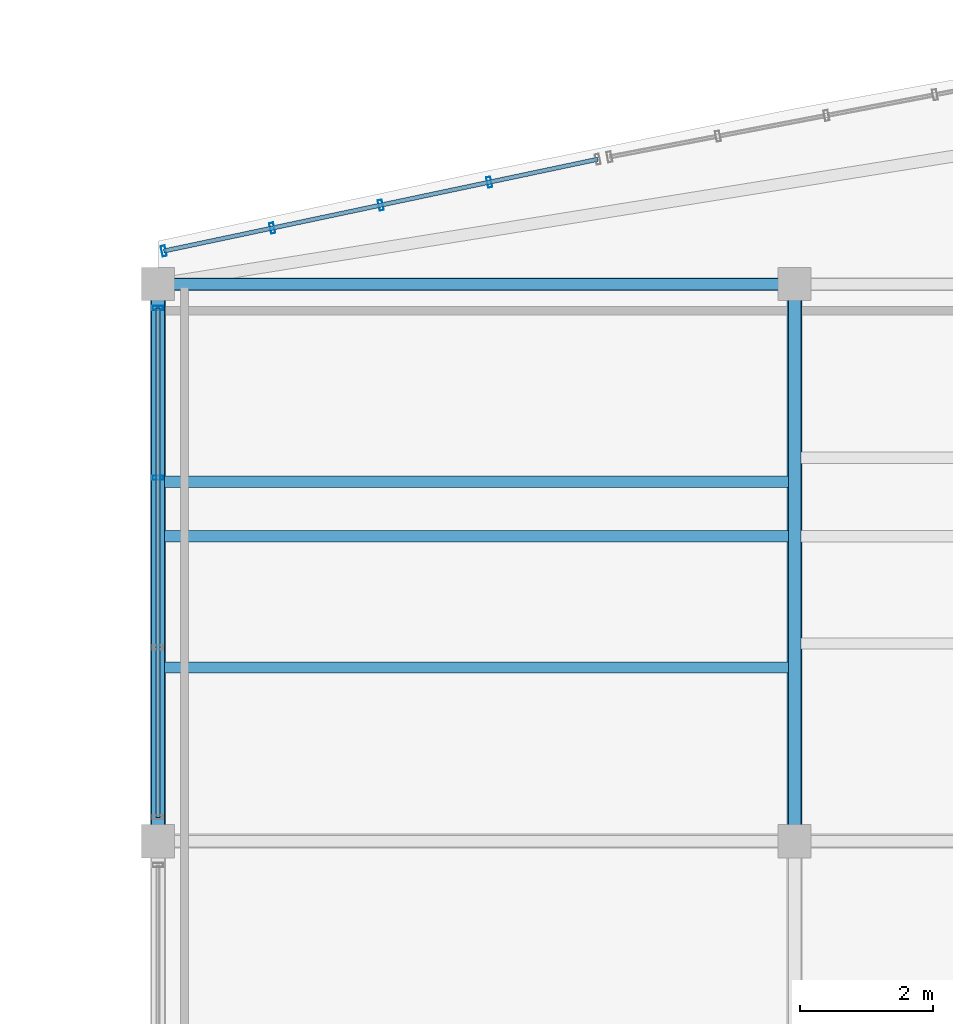
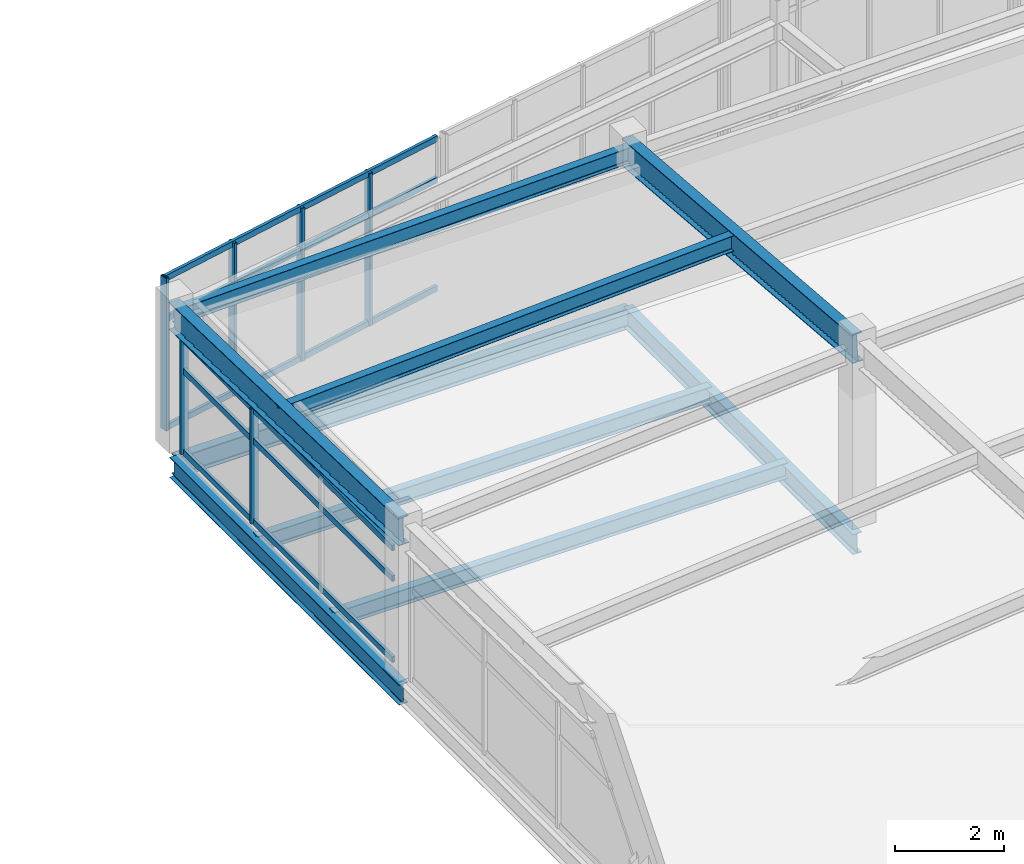
# One storey, part 37 of 65: 14 members, 7 beams, 2 elements without a shape of their own.
"""IFC4 building model written with IfcOpenShell, lengths in metres."""

from ifc_helpers import new_model, si_unit, direction, frame, origin, origin_2d, place, context, subcontext, project, spatial, hollow_rectangle, i_section, extrude, material, layer, layer_set, material_profile, profile_set, type_object, element, aggregate, save


model = new_model("IFC4")

# Units and contexts
model_context = context("Model", 3, precision=1e-05, world=origin(), true_north=direction((0.0, 1.0)))
body_context = subcontext(model_context, "Body", "Model", "MODEL_VIEW")
ifc_project = project(units=[si_unit("LENGTHUNIT", "METRE"), si_unit("AREAUNIT", "SQUARE_METRE"), si_unit("VOLUMEUNIT", "CUBIC_METRE"), si_unit("PLANEANGLEUNIT", "RADIAN"), si_unit("MASSUNIT", "GRAM", prefix="KILO")], contexts=[model_context])

# Site, building, storey
site_placement = place(None, origin())
site = spatial("IfcSite", under=ifc_project, at=site_placement, CompositionType="ELEMENT")
building_placement = place(site_placement, origin())
building = spatial("IfcBuilding", under=site, at=building_placement, Name="Chalmorin Arch Market", CompositionType="ELEMENT")
storey_placement = place(building_placement, frame((0.0, 0.0, 14.10009765625)))
storey = spatial("IfcBuildingStorey", under=building, at=storey_placement, Name="L03", CompositionType="ELEMENT", Elevation=14.10009765625)

# Curtain wall, members
ifc_material_1 = material(Name="Aluminium 6063-T6", Category="aluminium")
ifc_layer_1 = layer(ifc_material_1, 0.159912109375)
ifc_layer_set_1 = layer_set([ifc_layer_1], Name="Aluminium 6063-T6")
curtain_wall_type_1 = type_object("IfcCurtainWallType", Name="CulinaryStudioCurtainWall-CW3-7680x2570", PredefinedType="NOTDEFINED", material=ifc_layer_set_1)
curtain_wall_1_placement = place(storey_placement, origin())
curtain_wall_1 = element("IfcCurtainWall", 1, at=curtain_wall_1_placement, inside=storey, type_object=curtain_wall_type_1, Name="CW-03-120", PredefinedType="NOTDEFINED")
ifc_material_profile_1 = material_profile(ifc_material_1, hollow_rectangle(XDim=0.06494140625, YDim=0.159912109375, WallThickness=0.00390625, at=origin_2d()), Name="ALU65X160X4")
ifc_profile_set_1 = profile_set([ifc_material_profile_1], Name="Aluminium 6063-T6")
member_type_1 = type_object("IfcMemberType", Name="CurtainWallMullion-65x160", PredefinedType="MULLION", material=ifc_profile_set_1)
member_1_placement = place(storey_placement, frame((48.0, 115.080078125, 0.0), z_axis=(0.0, 0.0, 1.0), x_axis=(0.0, 1.0, 0.0)))
member_1 = element("IfcMember", 2, at=member_1_placement, type_object=member_type_1, Name="ML-120-03", PredefinedType="MULLION", context=body_context, shape_type="SweptSolid", body=[
    extrude(hollow_rectangle(XDim=0.06494140625, YDim=0.159912109375, WallThickness=0.00390625, at=origin_2d()), origin(), (0.0, 0.0, 1.0), 2.56591796875),
])
member_2_placement = place(storey_placement, frame((48.0, 117.639892578125, 0.0), z_axis=(0.0, 0.0, 1.0), x_axis=(0.0, 1.0, 0.0)))
member_2 = element("IfcMember", 3, at=member_2_placement, type_object=member_type_1, Name="ML-120-04", PredefinedType="MULLION", context=body_context, shape_type="SweptSolid", body=[
    extrude(hollow_rectangle(XDim=0.06494140625, YDim=0.159912109375, WallThickness=0.00390625, at=origin_2d()), origin(), (0.0, 0.0, 1.0), 2.56591796875),
])

ifc_layer_2 = layer(ifc_material_1, 0.159912109375)
ifc_layer_set_2 = layer_set([ifc_layer_2], Name="Aluminium 6063-T6")
curtain_wall_type_2 = type_object("IfcCurtainWallType", Name="CulinaryStudioCurtainWall-CW3-6690x3420", PredefinedType="NOTDEFINED", material=ifc_layer_set_2)
curtain_wall_2_placement = place(storey_placement, origin())
curtain_wall_2 = element("IfcCurtainWall", 4, at=curtain_wall_2_placement, inside=storey, type_object=curtain_wall_type_2, Name="CW-03-123", PredefinedType="NOTDEFINED")
member_3_placement = place(storey_placement, frame((48.088134765625, 118.49853515625, -0.02001953125), z_axis=(0.0, 0.0, 1.0), x_axis=(0.978147600734, 0.207911690818, 0.0)))
member_3 = element("IfcMember", 5, at=member_3_placement, type_object=member_type_1, Name="ML-123-01", PredefinedType="MULLION", context=body_context, shape_type="SweptSolid", body=[
    extrude(hollow_rectangle(XDim=0.06494140625, YDim=0.159912109375, WallThickness=0.00390625, at=origin_2d()), origin(), (0.0, 0.0, 1.0), 3.416015625),
])
member_4_placement = place(storey_placement, frame((49.72412109375, 118.844482421875, -0.02001953125), z_axis=(0.0, 0.0, 1.0), x_axis=(0.978147600734, 0.207911690818, 0.0)))
member_4 = element("IfcMember", 6, at=member_4_placement, type_object=member_type_1, Name="ML-123-02", PredefinedType="MULLION", context=body_context, shape_type="SweptSolid", body=[
    extrude(hollow_rectangle(XDim=0.06494140625, YDim=0.159912109375, WallThickness=0.00390625, at=origin_2d()), origin(), (0.0, 0.0, 1.0), 3.416015625),
])
member_5_placement = place(storey_placement, frame((51.360107421875, 119.1904296875, -0.02001953125), z_axis=(0.0, 0.0, 1.0), x_axis=(0.978147600734, 0.207911690818, 0.0)))
member_5 = element("IfcMember", 7, at=member_5_placement, type_object=member_type_1, Name="ML-123-03", PredefinedType="MULLION", context=body_context, shape_type="SweptSolid", body=[
    extrude(hollow_rectangle(XDim=0.06494140625, YDim=0.159912109375, WallThickness=0.00390625, at=origin_2d()), origin(), (0.0, 0.0, 1.0), 3.416015625),
])
member_6_placement = place(storey_placement, frame((52.99609375, 119.53662109375, -0.02001953125), z_axis=(0.0, 0.0, 1.0), x_axis=(0.978147600734, 0.207911690818, 0.0)))
member_6 = element("IfcMember", 8, at=member_6_placement, type_object=member_type_1, Name="ML-123-04", PredefinedType="MULLION", context=body_context, shape_type="SweptSolid", body=[
    extrude(hollow_rectangle(XDim=0.06494140625, YDim=0.159912109375, WallThickness=0.00390625, at=origin_2d()), origin(), (0.0, 0.0, 1.0), 3.416015625),
])

# Member
ifc_material_profile_2 = material_profile(ifc_material_1, hollow_rectangle(XDim=0.06494140625, YDim=0.1298828125, WallThickness=0.00390625, at=origin_2d()), Name="ALU65X130X4")
ifc_profile_set_2 = profile_set([ifc_material_profile_2], Name="Aluminium 6063-T6")
member_type_2 = type_object("IfcMemberType", Name="CurtainWallTransom-65x130", PredefinedType="USERDEFINED", material=ifc_profile_set_2)
member_7_placement = place(storey_placement, frame((48.0, 109.9599609375, 0.034912109375), z_axis=(0.0, 1.0, 0.0), x_axis=(-1.0, 0.0, 0.0)))
member_7 = element("IfcMember", 9, at=member_7_placement, type_object=member_type_2, Name="TR-120-01", ObjectType="TRANSOM", PredefinedType="USERDEFINED", context=body_context, shape_type="SweptSolid", body=[
    extrude(hollow_rectangle(XDim=0.06494140625, YDim=0.1298828125, WallThickness=0.00390625, at=origin_2d()), origin(), (0.0, 0.0, 1.0), 7.679931640625),
])

member_8_placement = place(storey_placement, frame((48.0, 109.9599609375, 1.847412109375), z_axis=(0.0, 1.0, 0.0), x_axis=(-1.0, 0.0, 0.0)))
member_8 = element("IfcMember", 10, at=member_8_placement, type_object=member_type_2, Name="TR-120-02", ObjectType="TRANSOM", PredefinedType="USERDEFINED", context=body_context, shape_type="SweptSolid", body=[
    extrude(hollow_rectangle(XDim=0.06494140625, YDim=0.1298828125, WallThickness=0.00390625, at=origin_2d()), origin(), (0.0, 0.0, 1.0), 7.679931640625),
])

member_9_placement = place(storey_placement, frame((48.0, 109.9599609375, 2.531005859375), z_axis=(0.0, 1.0, 0.0), x_axis=(-1.0, 0.0, 0.0)))
member_9 = element("IfcMember", 11, at=member_9_placement, type_object=member_type_2, Name="TR-120-03", ObjectType="TRANSOM", PredefinedType="USERDEFINED", context=body_context, shape_type="SweptSolid", body=[
    extrude(hollow_rectangle(XDim=0.06494140625, YDim=0.1298828125, WallThickness=0.00390625, at=origin_2d()), origin(), (0.0, 0.0, 1.0), 7.679931640625),
])

aggregate(curtain_wall_1, [member_1, member_2, member_7, member_8, member_9])

member_10_placement = place(storey_placement, frame((48.088134765625, 118.49853515625, 0.014892578125), z_axis=(0.978363487727, 0.206893416723, 0.0), x_axis=(-0.206893416723, 0.978363487727, 0.0)))
member_10 = element("IfcMember", 12, at=member_10_placement, type_object=member_type_2, Name="TR-123-01", ObjectType="TRANSOM", PredefinedType="USERDEFINED", context=body_context, shape_type="SweptSolid", body=[
    extrude(hollow_rectangle(XDim=0.06494140625, YDim=0.1298828125, WallThickness=0.00390625, at=origin_2d()), origin(), (0.0, 0.0, 1.0), 6.6884765625),
])

member_11_placement = place(storey_placement, frame((48.088134765625, 118.49853515625, 2.439453125), z_axis=(0.978363487727, 0.206893416723, 0.0), x_axis=(-0.206893416723, 0.978363487727, 0.0)))
member_11 = element("IfcMember", 13, at=member_11_placement, type_object=member_type_2, Name="TR-123-02", ObjectType="TRANSOM", PredefinedType="USERDEFINED", context=body_context, shape_type="SweptSolid", body=[
    extrude(hollow_rectangle(XDim=0.06494140625, YDim=0.1298828125, WallThickness=0.00390625, at=origin_2d()), origin(), (0.0, 0.0, 1.0), 6.6884765625),
])

member_12_placement = place(storey_placement, frame((48.088134765625, 118.49853515625, 3.36083984375), z_axis=(0.978363487727, 0.206893416723, 0.0), x_axis=(-0.206893416723, 0.978363487727, 0.0)))
member_12 = element("IfcMember", 14, at=member_12_placement, type_object=member_type_2, Name="TR-123-03", ObjectType="TRANSOM", PredefinedType="USERDEFINED", context=body_context, shape_type="SweptSolid", body=[
    extrude(hollow_rectangle(XDim=0.06494140625, YDim=0.1298828125, WallThickness=0.00390625, at=origin_2d()), origin(), (0.0, 0.0, 1.0), 6.6884765625),
])

aggregate(curtain_wall_2, [member_3, member_4, member_5, member_6, member_10, member_11, member_12])

# Beams
ifc_material_2 = material(Name="Steel A992 Grade 50", Category="steel")
ifc_material_profile_3 = material_profile(ifc_material_2, i_section(OverallWidth=0.19091796875, OverallDepth=0.45703125, WebThickness=0.009033203125, FlangeThickness=0.014404296875, FilletRadius=0.02001953125, at=origin_2d()), Name="W18X50")
ifc_profile_set_3 = profile_set([ifc_material_profile_3], Name="Steel A992 Grade 50")
beam_type_1 = type_object("IfcBeamType", Name="FloorSteelBeam-W18X50", PredefinedType="BEAM", material=ifc_profile_set_3)
beam_1_placement = place(storey_placement, frame((57.60009765625, 109.60009765625, -0.510498046875), z_axis=(0.0, 1.0, 0.0), x_axis=(-1.0, 0.0, 0.0)))
element("IfcBeam", 15, at=beam_1_placement, inside=storey, type_object=beam_type_1, Name="BM-W18B-1392", PredefinedType="BEAM", context=body_context, shape_type="SweptSolid", body=[
    extrude(i_section(OverallWidth=0.19091796875, OverallDepth=0.45703125, WebThickness=0.009033203125, FlangeThickness=0.014404296875, FilletRadius=0.02001953125, at=origin_2d()), origin(), (0.0, 0.0, 1.0), 8.39990234375),
])
ifc_material_profile_4 = material_profile(ifc_material_2, i_section(OverallWidth=0.19091796875, OverallDepth=0.45703125, WebThickness=0.009033203125, FlangeThickness=0.014404296875, FilletRadius=0.02001953125, at=origin_2d()), Name="W18X50")
ifc_profile_set_4 = profile_set([ifc_material_profile_4], Name="Steel A992 Grade 50")
beam_type_2 = type_object("IfcBeamType", Name="PerimeterSpandrelBeam-W18X50", PredefinedType="SPANDREL", material=ifc_profile_set_4)
beam_2_placement = place(storey_placement, frame((48.0, 118.0, -0.510498046875), z_axis=(1.0, 0.0, 0.0), x_axis=(0.0, 1.0, 0.0)))
element("IfcBeam", 16, at=beam_2_placement, inside=storey, type_object=beam_type_2, Name="SP-W18-1390", PredefinedType="SPANDREL", context=body_context, shape_type="SweptSolid", body=[
    extrude(i_section(OverallWidth=0.19091796875, OverallDepth=0.45703125, WebThickness=0.009033203125, FlangeThickness=0.014404296875, FilletRadius=0.02001953125, at=origin_2d()), origin(), (0.0, 0.0, 1.0), 9.60009765625),
])
beam_3_placement = place(storey_placement, frame((48.0, 109.60009765625, -0.510498046875), z_axis=(0.0, 1.0, 0.0), x_axis=(-1.0, 0.0, 0.0)))
element("IfcBeam", 17, at=beam_3_placement, inside=storey, type_object=beam_type_2, Name="SP-W18-1391", PredefinedType="SPANDREL", context=body_context, shape_type="SweptSolid", body=[
    extrude(i_section(OverallWidth=0.19091796875, OverallDepth=0.45703125, WebThickness=0.009033203125, FlangeThickness=0.014404296875, FilletRadius=0.02001953125, at=origin_2d()), origin(), (0.0, 0.0, 1.0), 8.39990234375),
])
ifc_material_profile_5 = material_profile(ifc_material_2, i_section(OverallWidth=0.22802734375, OverallDepth=0.60791015625, WebThickness=0.01123046875, FlangeThickness=0.017333984375, FilletRadius=0.02392578125, at=origin_2d()), Name="W24X76")
ifc_profile_set_5 = profile_set([ifc_material_profile_5], Name="Steel A992 Grade 50")
beam_type_3 = type_object("IfcBeamType", Name="PrimarySteelGirder-W24X76", PredefinedType="BEAM", material=ifc_profile_set_5)
beam_4_placement = place(storey_placement, frame((48.0, 109.60009765625, 3.1337890625), z_axis=(0.0, 0.999561707129, -0.029603946392), x_axis=(-1.0, 0.0, 0.0)))
element("IfcBeam", 18, at=beam_4_placement, inside=storey, type_object=beam_type_3, Name="BG-W24B-1549", PredefinedType="BEAM", context=body_context, shape_type="SweptSolid", body=[
    extrude(i_section(OverallWidth=0.22802734375, OverallDepth=0.60791015625, WebThickness=0.01123046875, FlangeThickness=0.017333984375, FilletRadius=0.02392578125, at=origin_2d()), origin(), (0.0, 0.0, 1.0), 8.403564453125),
])
beam_5_placement = place(storey_placement, frame((57.60009765625, 109.60009765625, 3.86279296875), z_axis=(0.0, 0.996565306813, -0.082810562465), x_axis=(-1.0, 0.0, 0.0)))
element("IfcBeam", 19, at=beam_5_placement, inside=storey, type_object=beam_type_3, Name="BG-W24B-1554", PredefinedType="BEAM", context=body_context, shape_type="SweptSolid", body=[
    extrude(i_section(OverallWidth=0.22802734375, OverallDepth=0.60791015625, WebThickness=0.01123046875, FlangeThickness=0.017333984375, FilletRadius=0.02392578125, at=origin_2d()), origin(), (0.0, 0.0, 1.0), 8.428955078125),
])

# Members
ifc_material_profile_6 = material_profile(ifc_material_2, i_section(OverallWidth=0.1708984375, OverallDepth=0.35107421875, WebThickness=0.0068359375, FlangeThickness=0.009765625, FilletRadius=0.014892578125, at=origin_2d()), Name="W14X30")
ifc_profile_set_6 = profile_set([ifc_material_profile_6], Name="Steel A992 Grade 50")
member_type_3 = type_object("IfcMemberType", Name="RoofSteelPurlin-W14X30", PredefinedType="PURLIN", material=ifc_profile_set_6)
member_13_placement = place(storey_placement, frame((48.0, 114.199951171875, 2.9658203125), z_axis=(0.99866222772, 0.0, 0.051708364164), x_axis=(0.0, 1.0, 0.0)))
element("IfcMember", 20, at=member_13_placement, inside=storey, type_object=member_type_3, Name="PR-W14-0112", PredefinedType="PURLIN", context=body_context, shape_type="SweptSolid", body=[
    extrude(i_section(OverallWidth=0.1708984375, OverallDepth=0.35107421875, WebThickness=0.0068359375, FlangeThickness=0.009765625, FilletRadius=0.014892578125, at=origin_2d()), origin(), (0.0, 0.0, 1.0), 9.613037109375),
])
member_14_placement = place(storey_placement, frame((48.0, 118.0, 2.844970703125), z_axis=(0.999574843709, 0.0, 0.029157020135), x_axis=(0.0, 1.0, 0.0)))
element("IfcMember", 21, at=member_14_placement, inside=storey, type_object=member_type_3, Name="PR-W14-0119", PredefinedType="PURLIN", context=body_context, shape_type="SweptSolid", body=[
    extrude(i_section(OverallWidth=0.1708984375, OverallDepth=0.35107421875, WebThickness=0.0068359375, FlangeThickness=0.009765625, FilletRadius=0.014892578125, at=origin_2d()), origin(), (0.0, 0.0, 1.0), 9.604248046875),
])

# Beams
ifc_material_profile_7 = material_profile(ifc_material_2, i_section(OverallWidth=0.1708984375, OverallDepth=0.35107421875, WebThickness=0.0068359375, FlangeThickness=0.009765625, FilletRadius=0.014892578125, at=origin_2d()), Name="W14X30")
ifc_profile_set_7 = profile_set([ifc_material_profile_7], Name="Steel A992 Grade 50")
beam_type_4 = type_object("IfcBeamType", Name="SecondaryFloorJoist-W14X30", PredefinedType="JOIST", material=ifc_profile_set_7)
for number, where, z_axis, x_axis, name in (
    (22, (48.0, 112.219970703125, -0.41748046875), (1.0, 0.0, 0.0), (0.0, 1.0, 0.0), "BJ-W14-1443"),
    (23, (48.0, 115.02001953125, -0.41748046875), (1.0, 0.0, 0.0), (0.0, 1.0, 0.0), "BJ-W14-1444"),
):
    element("IfcBeam", number, at=place(storey_placement, frame(where, z_axis=z_axis, x_axis=x_axis)), inside=storey, type_object=beam_type_4, Name=name, PredefinedType="JOIST", context=body_context, shape_type="SweptSolid", body=[
        extrude(i_section(OverallWidth=0.1708984375, OverallDepth=0.35107421875, WebThickness=0.0068359375, FlangeThickness=0.009765625, FilletRadius=0.014892578125, at=origin_2d()), origin(), (0.0, 0.0, 1.0), 9.60009765625),
    ])

save(model, "model.ifc")
